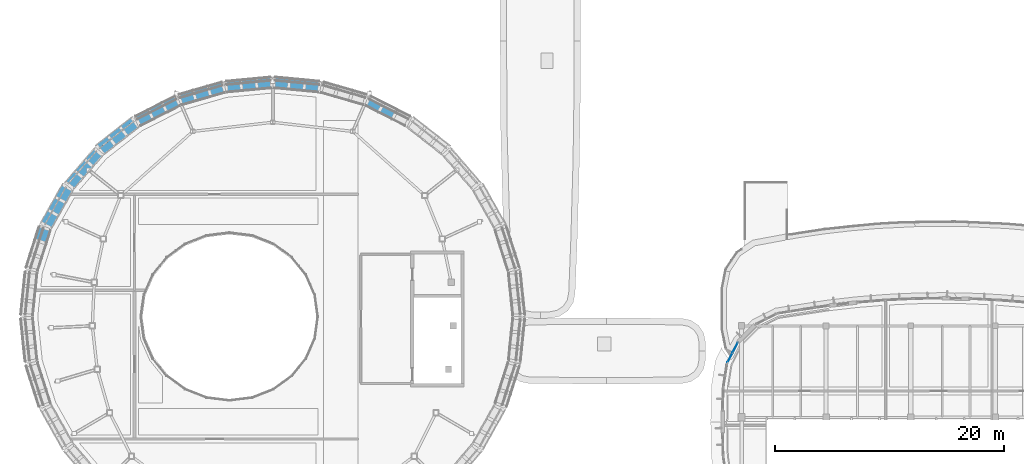
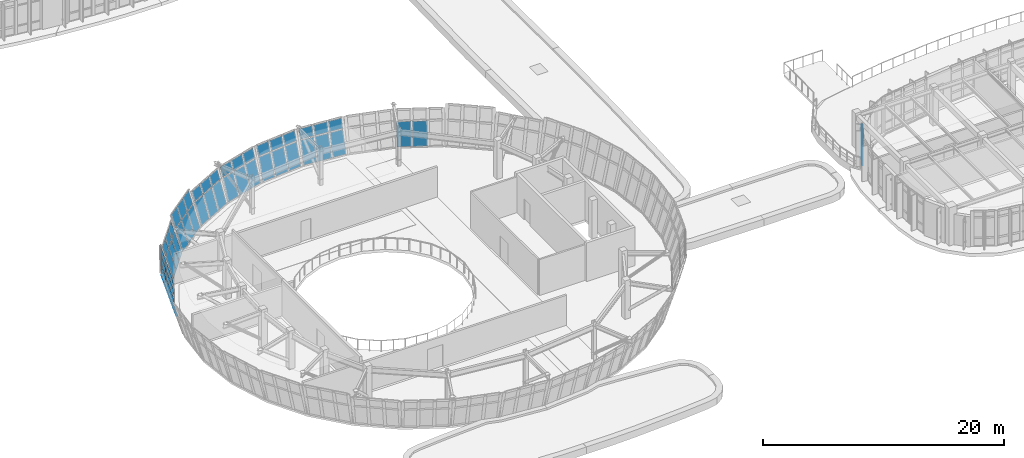
# One storey, part 65 of 111: 50 plates, 10 elements without a shape of their own.
"""IFC4 building model written with IfcOpenShell, lengths in metres."""

from ifc_helpers import new_model, si_unit, direction, frame, origin, origin_2d, place, context, subcontext, project, spatial, polyline, rectangle, outline, extrude, material, layer, layer_set, type_object, element, aggregate, save


model = new_model("IFC4")

# Units and contexts
model_context = context("Model", 3, precision=1e-05, world=origin(), true_north=direction((0.0, 1.0)))
body_context = subcontext(model_context, "Body", "Model", "MODEL_VIEW")
ifc_project = project(units=[si_unit("LENGTHUNIT", "METRE"), si_unit("AREAUNIT", "SQUARE_METRE"), si_unit("VOLUMEUNIT", "CUBIC_METRE"), si_unit("PLANEANGLEUNIT", "RADIAN"), si_unit("MASSUNIT", "GRAM", prefix="KILO")], contexts=[model_context])

# Site, building, storey
site_placement = place(None, origin())
site = spatial("IfcSite", under=ifc_project, at=site_placement, CompositionType="ELEMENT")
building_placement = place(site_placement, origin())
building = spatial("IfcBuilding", under=site, at=building_placement, Name="Corveleigh Park Community Centre", CompositionType="ELEMENT")
storey_placement = place(building_placement, frame((0.0, 0.0, 4.800048828125)))
storey = spatial("IfcBuildingStorey", under=building, at=storey_placement, Name="L01", CompositionType="ELEMENT", Elevation=4.800048828125)

# Curtain wall, plates
ifc_material_1 = material(Name="Anodised aluminium 6063-T6", Category="aluminium")
curtain_wall_type_1 = type_object("IfcCurtainWallType", Name="CW-SYS-V1-DRUM", PredefinedType="NOTDEFINED", material=ifc_material_1)
curtain_wall_1_placement = place(storey_placement, origin())
curtain_wall_1 = element("IfcCurtainWall", 1, at=curtain_wall_1_placement, inside=storey, type_object=curtain_wall_type_1, Name="Main Hall Flared Drum CW 167", PredefinedType="NOTDEFINED")
ifc_material_2 = material(Name="Low-E double glazing", Category="glass")
ifc_layer = layer(ifc_material_2, 0.02392578125, Name="Low-E double glazing", Category="glass")
ifc_layer_set = layer_set([ifc_layer], Name="Low-E double glazing")
plate_type = type_object("IfcPlateType", Name="CWP-GLZ-24", PredefinedType="CURTAIN_PANEL", material=ifc_layer_set)
plate_1_placement = place(storey_placement, frame((41.422119140625, 44.889404296875, 0.079833984375), z_axis=(-0.435129928287, -0.854426789834, 0.283930988662), x_axis=(-0.89110027264, 0.453806461061, 0.0)))
plate_1 = element("IfcPlate", 2, at=plate_1_placement, type_object=plate_type, Name="CW02 panel 2.1", PredefinedType="CURTAIN_PANEL", context=body_context, shape_type="SweptSolid", body=[
    extrude(outline(polyline([(0.0, 0.0), (1.2567306747164828, 0.0), (1.256584642869759, -2.2215557040951697), (-0.00014603184672390412, -2.2215557040951697), (0.0, 0.0)])), origin(), (0.0, 0.0, -1.0), 0.02392578125),
])
plate_2_placement = place(storey_placement, frame((40.2265625, 45.498291015625, 0.079833984375), z_axis=(-0.43527937926, -0.854365902958, 0.28388512792), x_axis=(-0.891024153867, 0.453955897886, 0.0)))
plate_2 = element("IfcPlate", 3, at=plate_2_placement, type_object=plate_type, Name="CW02 panel 3.1", PredefinedType="CURTAIN_PANEL", context=body_context, shape_type="SweptSolid", body=[
    extrude(outline(polyline([(0.0, 0.0), (1.2143680340247587, 0.0), (1.21454532128109, -2.2215242432618902), (0.00017728725633131548, -2.2215242432618902), (0.0, 0.0)])), origin(), (0.0, 0.0, -1.0), 0.02392578125),
])
aggregate(curtain_wall_1, [plate_1, plate_2])

curtain_wall_2_placement = place(storey_placement, origin())
curtain_wall_2 = element("IfcCurtainWall", 4, at=curtain_wall_2_placement, inside=storey, type_object=curtain_wall_type_1, Name="Main Hall Flared Drum CW 169", PredefinedType="NOTDEFINED")
plate_3_placement = place(storey_placement, frame((34.989501953125, 47.24951171875, 0.079833984375), z_axis=(-0.089638964178, -0.954654968497, 0.283899184966), x_axis=(-0.99562057061, 0.093486252316, 2.531165e-06)))
plate_3 = element("IfcPlate", 5, at=plate_3_placement, type_object=plate_type, Name="CW02 panel 1.1", PredefinedType="CURTAIN_PANEL", context=body_context, shape_type="SweptSolid", body=[
    extrude(outline(polyline([(0.0, 0.0), (1.2272996812721844, -6.938893903907228e-18), (1.227427651939099, -2.221530645692384), (-0.00011510076145723116, -2.221537125938289), (0.0, 0.0)])), origin(), (0.0, 0.0, -1.0), 0.02392578125),
])
plate_4_placement = place(storey_placement, frame((35.05078125, 47.901123046875, 2.2900390625), z_axis=(-0.089644715263, -0.954716217553, 0.283691326914), x_axis=(-0.995620710615, 0.093484761256, -2.528973e-06)))
plate_4 = element("IfcPlate", 6, at=plate_4_placement, type_object=plate_type, Name="CW02 panel 1.2", PredefinedType="CURTAIN_PANEL", context=body_context, shape_type="SweptSolid", body=[
    extrude(outline(polyline([(0.0, 0.0), (1.2275427527176546, 0.0), (1.2274193232998722, -0.9343879144596787), (0.00011964204477039696, -0.9343814402405587), (0.0, 0.0)])), origin(), (0.0, 0.0, -1.0), 0.02392578125),
])
plate_5_placement = place(storey_placement, frame((33.682861328125, 47.372314453125, 0.079833984375), z_axis=(-0.089678399961, -0.954664816852, 0.283853610238), x_axis=(-0.995617622449, 0.09351764107, -2.6047473e-05)))
plate_5 = element("IfcPlate", 7, at=plate_5_placement, type_object=plate_type, Name="CW02 panel 2.1", PredefinedType="CURTAIN_PANEL", context=body_context, shape_type="SweptSolid", body=[
    extrude(outline(polyline([(0.0, 0.0), (1.2699592871634262, 6.938893903907228e-18), (1.269803194389561, -2.2215371204065937), (-0.00017892422920486495, -2.221468123338126), (0.0, 0.0)])), origin(), (0.0, 0.0, -1.0), 0.02392578125),
])
plate_6_placement = place(storey_placement, frame((33.744140625, 48.023681640625, 2.2900390625), z_axis=(-0.089585221352, -0.95465403577, 0.283919284485), x_axis=(-0.995625847483, 0.093430037049, 0.0)))
plate_6 = element("IfcPlate", 8, at=plate_6_placement, type_object=plate_type, Name="CW02 panel 2.2", PredefinedType="CURTAIN_PANEL", context=body_context, shape_type="SweptSolid", body=[
    extrude(outline(polyline([(0.0, 0.0), (1.2699592925103274, 0.0), (1.2700894413118968, -0.9344504257626118), (0.0001301488015694116, -0.9344504257626118), (0.0, 0.0)])), origin(), (0.0, 0.0, -1.0), 0.02392578125),
])
plate_7_placement = place(storey_placement, frame((32.333984375, 47.498779296875, 0.079833984375), z_axis=(-0.089638964178, -0.954654968497, 0.283899184966), x_axis=(-0.995620710718, 0.093484760164, -2.530664e-06)))
plate_7 = element("IfcPlate", 9, at=plate_7_placement, type_object=plate_type, Name="CW02 panel 3.1", PredefinedType="CURTAIN_PANEL", context=body_context, shape_type="SweptSolid", body=[
    extrude(outline(polyline([(0.0, 0.0), (1.2275427527176608, 0.0), (1.2274159243753684, -2.221537125299712), (0.00011624312028513459, -2.2215306463369906), (0.0, 0.0)])), origin(), (0.0, 0.0, -1.0), 0.02392578125),
])
plate_8_placement = place(storey_placement, frame((32.39501953125, 48.150390625, 2.2900390625), z_axis=(-0.089638097214, -0.954645735333, 0.283930504768), x_axis=(-0.995620570594, 0.093486252481, 2.531419e-06)))
plate_8 = element("IfcPlate", 10, at=plate_8_placement, type_object=plate_type, Name="CW02 panel 3.2", PredefinedType="CURTAIN_PANEL", context=body_context, shape_type="SweptSolid", body=[
    extrude(outline(polyline([(0.0, 0.0), (1.2272996812721852, 0.0), (1.2274470782114857, -0.9344504231370696), (-9.567448906729805e-05, -0.9344569040978764), (0.0, 0.0)])), origin(), (0.0, 0.0, -1.0), 0.02392578125),
])
aggregate(curtain_wall_2, [plate_3, plate_4, plate_5, plate_6, plate_7, plate_8])

curtain_wall_3_placement = place(storey_placement, origin())
curtain_wall_3 = element("IfcCurtainWall", 11, at=curtain_wall_3_placement, inside=storey, type_object=curtain_wall_type_1, Name="Main Hall Flared Drum CW 170", PredefinedType="NOTDEFINED")
plate_9_placement = place(storey_placement, frame((30.88818359375, 47.613525390625, 0.079833984375), z_axis=(0.089638964178, -0.954654968497, 0.283899184966), x_axis=(-0.995620710718, -0.093484760164, 2.530664e-06)))
plate_9 = element("IfcPlate", 12, at=plate_9_placement, type_object=plate_type, Name="CW02 panel 1.1", PredefinedType="CURTAIN_PANEL", context=body_context, shape_type="SweptSolid", body=[
    extrude(outline(polyline([(0.0, 0.0), (1.2275427527176608, 0.0), (1.2274265095973755, -2.2215306463369906), (0.00012682834229249881, -2.221537125299712), (0.0, 0.0)])), origin(), (0.0, 0.0, -1.0), 0.02392578125),
])
plate_10_placement = place(storey_placement, frame((30.826904296875, 48.26513671875, 2.2900390625), z_axis=(0.089638097214, -0.954645735333, 0.283930504768), x_axis=(-0.995620570594, -0.093486252481, -2.531419e-06)))
plate_10 = element("IfcPlate", 13, at=plate_10_placement, type_object=plate_type, Name="CW02 panel 1.2", PredefinedType="CURTAIN_PANEL", context=body_context, shape_type="SweptSolid", body=[
    extrude(outline(polyline([(0.0, 0.0), (1.2272996812721852, 0.0), (1.2273953557612527, -0.9344569040978764), (-0.0001473969393004782, -0.9344504231370696), (0.0, 0.0)])), origin(), (0.0, 0.0, -1.0), 0.02392578125),
])
plate_11_placement = place(storey_placement, frame((29.58154296875, 47.490966796875, 0.079833984375), z_axis=(0.089678399961, -0.954664816852, 0.283853610238), x_axis=(-0.995617622449, -0.09351764107, 2.6047473e-05)))
plate_11 = element("IfcPlate", 14, at=plate_11_placement, type_object=plate_type, Name="CW02 panel 2.1", PredefinedType="CURTAIN_PANEL", context=body_context, shape_type="SweptSolid", body=[
    extrude(outline(polyline([(0.0, 0.0), (1.2699592871634262, -6.938893903907228e-18), (1.270138211392631, -2.221468123338126), (0.00015609277386538956, -2.2215371204065937), (0.0, 0.0)])), origin(), (0.0, 0.0, -1.0), 0.02392578125),
])
plate_12_placement = place(storey_placement, frame((29.520263671875, 48.142333984375, 2.2900390625), z_axis=(0.089585221352, -0.95465403577, 0.283919284485), x_axis=(-0.995625847483, -0.093430037049, 0.0)))
plate_12 = element("IfcPlate", 15, at=plate_12_placement, type_object=plate_type, Name="CW02 panel 2.2", PredefinedType="CURTAIN_PANEL", context=body_context, shape_type="SweptSolid", body=[
    extrude(outline(polyline([(0.0, 0.0), (1.2699592925103274, 0.0), (1.269829143708758, -0.9344504257626118), (-0.0001301488015694116, -0.9344504257626118), (0.0, 0.0)])), origin(), (0.0, 0.0, -1.0), 0.02392578125),
])
plate_13_placement = place(storey_placement, frame((28.232421875, 47.3642578125, 0.079833984375), z_axis=(0.089638964178, -0.954654968497, 0.283899184966), x_axis=(-0.99562057061, -0.093486252316, -2.531165e-06)))
plate_13 = element("IfcPlate", 16, at=plate_13_placement, type_object=plate_type, Name="CW02 panel 3.1", PredefinedType="CURTAIN_PANEL", context=body_context, shape_type="SweptSolid", body=[
    extrude(outline(polyline([(0.0, 0.0), (1.2272996812721844, 6.938893903907228e-18), (1.2274147820336416, -2.221537125938289), (-0.00012797066691431984, -2.221530645692384), (0.0, 0.0)])), origin(), (0.0, 0.0, -1.0), 0.02392578125),
])
plate_14_placement = place(storey_placement, frame((28.17138671875, 48.015869140625, 2.2900390625), z_axis=(0.089644715263, -0.954716217553, 0.283691326914), x_axis=(-0.995620710615, -0.093484761256, 2.528973e-06)))
plate_14 = element("IfcPlate", 17, at=plate_14_placement, type_object=plate_type, Name="CW02 panel 3.2", PredefinedType="CURTAIN_PANEL", context=body_context, shape_type="SweptSolid", body=[
    extrude(outline(polyline([(0.0, 0.0), (1.2275427527176546, 0.0), (1.2274231106728843, -0.9343814402405587), (0.00012342941778220438, -0.9343879144596787), (0.0, 0.0)])), origin(), (0.0, 0.0, -1.0), 0.02392578125),
])
aggregate(curtain_wall_3, [plate_9, plate_10, plate_11, plate_12, plate_13, plate_14])

curtain_wall_4_placement = place(storey_placement, origin())
curtain_wall_4 = element("IfcCurtainWall", 18, at=curtain_wall_4_placement, inside=storey, type_object=curtain_wall_type_1, Name="Main Hall Flared Drum CW 171", PredefinedType="NOTDEFINED")
plate_15_placement = place(storey_placement, frame((26.790771484375, 47.208251953125, 0.079833984375), z_axis=(0.266061700526, -0.921211112795, 0.283868380021), x_axis=(-0.960730375848, -0.277483592743, -2.6109665e-05)))
plate_15 = element("IfcPlate", 19, at=plate_15_placement, type_object=plate_type, Name="CW02 panel 1.1", PredefinedType="CURTAIN_PANEL", context=body_context, shape_type="SweptSolid", body=[
    extrude(outline(polyline([(0.0, 0.0), (1.2226015703409923, 1.3877787807814457e-17), (1.2225775457977432, -2.221546047048338), (4.372047451034995e-05, -2.221479466474938), (0.0, 0.0)])), origin(), (0.0, 0.0, -1.0), 0.02392578125),
])
plate_16_placement = place(storey_placement, frame((26.609130859375, 47.8369140625, 2.2900390625), z_axis=(0.266070519218, -0.921241646604, 0.283761003955), x_axis=(-0.96073037747, -0.277483587126, -2.6100654e-05)))
plate_16 = element("IfcPlate", 20, at=plate_16_placement, type_object=plate_type, Name="CW02 panel 1.2", PredefinedType="CURTAIN_PANEL", context=body_context, shape_type="SweptSolid", body=[
    extrude(outline(polyline([(0.0, 0.0), (1.2226015703406494, 1.3877787807814457e-17), (1.2224529349062452, -0.9344380417157482), (-8.089041801595051e-05, -0.9343714863271186), (0.0, 0.0)])), origin(), (0.0, 0.0, -1.0), 0.02392578125),
])
plate_17_placement = place(storey_placement, frame((25.53466796875, 46.84521484375, 0.079833984375), z_axis=(0.26610340468, -0.92118410883, 0.283916916822), x_axis=(-0.960718756836, -0.277523819271, 0.0)))
plate_17 = element("IfcPlate", 21, at=plate_17_placement, type_object=plate_type, Name="CW02 panel 2.1", PredefinedType="CURTAIN_PANEL", context=body_context, shape_type="SweptSolid", body=[
    extrude(outline(polyline([(0.0, 0.0), (1.2650237362410135, 1.3877787807814457e-17), (1.2650289191563515, -2.221546050018316), (5.1829153378257775e-06, -2.221546050018316), (0.0, 0.0)])), origin(), (0.0, 0.0, -1.0), 0.02392578125),
])
plate_18_placement = place(storey_placement, frame((25.35302734375, 47.473876953125, 2.2900390625), z_axis=(0.266101256367, -0.921176671903, 0.283943058553), x_axis=(-0.960718756836, -0.277523819271, 0.0)))
plate_18 = element("IfcPlate", 22, at=plate_18_placement, type_object=plate_type, Name="CW02 panel 2.2", PredefinedType="CURTAIN_PANEL", context=body_context, shape_type="SweptSolid", body=[
    extrude(outline(polyline([(0.0, 0.0), (1.2650237362410135, -1.3877787807814457e-17), (1.2651219289279596, -0.9344572866126412), (9.81926869459554e-05, -0.9344572866126412), (0.0, 0.0)])), origin(), (0.0, 0.0, -1.0), 0.02392578125),
])
plate_19_placement = place(storey_placement, frame((24.237548828125, 46.470703125, 0.079833984375), z_axis=(0.266088376999, -0.921207727639, 0.283854360832), x_axis=(-0.960723306895, -0.27750806699, -1.8566973e-05)))
plate_19 = element("IfcPlate", 23, at=plate_19_placement, type_object=plate_type, Name="CW02 panel 3.1", PredefinedType="CURTAIN_PANEL", context=body_context, shape_type="SweptSolid", body=[
    extrude(outline(polyline([(0.0, 0.0), (1.2226015728971278, 0.0), (1.2223429959023029, -2.221526809576135), (4.372558668982366e-05, -2.2214794678816183), (0.0, 0.0)])), origin(), (0.0, 0.0, -1.0), 0.02392578125),
])
plate_20_placement = place(storey_placement, frame((24.055908203125, 47.099365234375, 2.2900390625), z_axis=(0.266172199392, -0.921166449768, 0.283909725252), x_axis=(-0.960697586067, -0.277597096651, -7.546601e-06)))
plate_20 = element("IfcPlate", 24, at=plate_20_placement, type_object=plate_type, Name="CW02 panel 3.2", PredefinedType="CURTAIN_PANEL", context=body_context, shape_type="SweptSolid", body=[
    extrude(outline(polyline([(0.0, 0.0), (1.2223670296202918, 1.3877787807814457e-17), (1.2224382225066959, -0.9344572884948379), (-0.0001633524226939295, -0.9344380454608738), (0.0, 0.0)])), origin(), (0.0, 0.0, -1.0), 0.02392578125),
])
aggregate(curtain_wall_4, [plate_15, plate_16, plate_17, plate_18, plate_19, plate_20])

curtain_wall_5_placement = place(storey_placement, origin())
curtain_wall_5 = element("IfcCurtainWall", 25, at=curtain_wall_5_placement, inside=storey, type_object=curtain_wall_type_1, Name="Main Hall Flared Drum CW 172", PredefinedType="NOTDEFINED")
plate_21_placement = place(storey_placement, frame((22.85546875, 46.049560546875, 0.079833984375), z_axis=(0.43527937926, -0.854365902958, 0.28388512792), x_axis=(-0.891024153867, -0.453955897886, 0.0)))
plate_21 = element("IfcPlate", 26, at=plate_21_placement, type_object=plate_type, Name="CW02 panel 1.1", PredefinedType="CURTAIN_PANEL", context=body_context, shape_type="SweptSolid", body=[
    extrude(outline(polyline([(0.0, 0.0), (1.2143680340247587, 0.0), (1.2141907467684274, -2.2215242432618902), (-0.00017728725633131548, -2.2215242432618902), (0.0, 0.0)])), origin(), (0.0, 0.0, -1.0), 0.02392578125),
])
plate_22_placement = place(storey_placement, frame((22.55859375, 46.632568359375, 2.2900390625), z_axis=(0.43508807319, -0.854465168105, 0.283879631293), x_axis=(-0.891124497652, -0.453758889202, -1.2416831e-05)))
plate_22 = element("IfcPlate", 27, at=plate_22_placement, type_object=plate_type, Name="CW02 panel 1.2", PredefinedType="CURTAIN_PANEL", context=body_context, shape_type="SweptSolid", body=[
    extrude(outline(polyline([(0.0, 0.0), (1.2142572232723932, -2.7755575615628914e-17), (1.214484598107084, -0.9344547111837749), (9.81514288118538e-06, -0.9344232601300853), (0.0, 0.0)])), origin(), (0.0, 0.0, -1.0), 0.02392578125),
])
plate_23_placement = place(storey_placement, frame((21.69775390625, 45.459716796875, 0.079833984375), z_axis=(0.435129928287, -0.854426789834, 0.283930988662), x_axis=(-0.89110027264, -0.453806461061, 0.0)))
plate_23 = element("IfcPlate", 28, at=plate_23_placement, type_object=plate_type, Name="CW02 panel 2.1", PredefinedType="CURTAIN_PANEL", context=body_context, shape_type="SweptSolid", body=[
    extrude(outline(polyline([(0.0, 0.0), (1.2567306747164828, 0.0), (1.2568767065632067, -2.2215557040951697), (0.00014603184672390412, -2.2215557040951697), (0.0, 0.0)])), origin(), (0.0, 0.0, -1.0), 0.02392578125),
])
plate_24_placement = place(storey_placement, frame((21.400634765625, 46.04296875, 2.2900390625), z_axis=(0.43529204676, -0.854379383179, 0.283825128602), x_axis=(-0.891021707372, -0.453960699832, 0.0)))
plate_24 = element("IfcPlate", 29, at=plate_24_placement, type_object=plate_type, Name="CW02 panel 2.2", PredefinedType="CURTAIN_PANEL", context=body_context, shape_type="SweptSolid", body=[
    extrude(outline(polyline([(0.0, 0.0), (1.2568414861383201, 0.0), (1.2568023612108874, -0.9344232608719287), (-3.912492743281283e-05, -0.9344232608719287), (0.0, 0.0)])), origin(), (0.0, 0.0, -1.0), 0.02392578125),
])
plate_25_placement = place(storey_placement, frame((20.501953125, 44.850830078125, 0.079833984375), z_axis=(0.435208898951, -0.854416761972, 0.283840115444), x_axis=(-0.891068087058, -0.453869654892, 2.4380516e-05)))
plate_25 = element("IfcPlate", 30, at=plate_25_placement, type_object=plate_type, Name="CW02 panel 3.1", PredefinedType="CURTAIN_PANEL", context=body_context, shape_type="SweptSolid", body=[
    extrude(outline(polyline([(0.0, 0.0), (1.2142572199545414, 0.0), (1.2143037146147662, -2.2214624961072755), (-6.431336098925244e-05, -2.221524246956718), (0.0, 0.0)])), origin(), (0.0, 0.0, -1.0), 0.02392578125),
])
plate_26_placement = place(storey_placement, frame((20.205078125, 45.433837890625, 2.2900390625), z_axis=(0.435134371748, -0.85445969676, 0.283825131263), x_axis=(-0.891105466146, -0.453796262882, 0.0)))
plate_26 = element("IfcPlate", 31, at=plate_26_placement, type_object=plate_type, Name="CW02 panel 3.2", PredefinedType="CURTAIN_PANEL", context=body_context, shape_type="SweptSolid", body=[
    extrude(outline(polyline([(0.0, 0.0), (1.214257224433932, 2.7755575615628914e-17), (1.2142670418998818, -0.9344232616394489), (9.817465949718312e-06, -0.9344232616394489), (0.0, 0.0)])), origin(), (0.0, 0.0, -1.0), 0.02392578125),
])
aggregate(curtain_wall_5, [plate_21, plate_22, plate_23, plate_24, plate_25, plate_26])

curtain_wall_6_placement = place(storey_placement, origin())
curtain_wall_6 = element("IfcCurtainWall", 32, at=curtain_wall_6_placement, inside=storey, type_object=curtain_wall_type_1, Name="Main Hall Flared Drum CW 173", PredefinedType="NOTDEFINED")
plate_27_placement = place(storey_placement, frame((19.2314453125, 44.180419921875, 0.079833984375), z_axis=(0.590570210498, -0.755353323322, 0.284021448871), x_axis=(-0.787796412937, -0.615935720481, 0.0)))
plate_27 = element("IfcPlate", 33, at=plate_27_placement, type_object=plate_type, Name="CW02 panel 1.1", PredefinedType="CURTAIN_PANEL", context=body_context, shape_type="SweptSolid", body=[
    extrude(outline(polyline([(0.0, 0.0), (1.2018045883461863, 0.0), (1.2018355362213238, -2.221617779334845), (3.094787513755498e-05, -2.221617779334845), (0.0, 0.0)])), origin(), (0.0, 0.0, -1.0), 0.02392578125),
])
plate_28_placement = place(storey_placement, frame((18.828369140625, 44.696044921875, 2.2900390625), z_axis=(0.590445712563, -0.755416030406, 0.284113501125), x_axis=(-0.787891310482, -0.615814323769, 3.8837686e-05)))
plate_28 = element("IfcPlate", 34, at=plate_28_placement, type_object=plate_type, Name="CW02 panel 1.2", PredefinedType="CURTAIN_PANEL", context=body_context, shape_type="SweptSolid", body=[
    extrude(outline(polyline([(0.0, 0.0), (1.2018465841558437, 0.0), (1.2019415795465835, -1.2952740771864453), (0.00013700637382405017, -1.2953714417653588), (0.0, 0.0)])), origin(), (0.0, 0.0, -1.0), 0.02392578125),
])
plate_29_placement = place(storey_placement, frame((18.217529296875, 43.387939453125, 0.079833984375), z_axis=(0.590517056705, -0.755406575725, 0.283990336266), x_axis=(-0.787841378921, -0.615878203373, -1.6452822e-05)))
plate_29 = element("IfcPlate", 35, at=plate_29_placement, type_object=plate_type, Name="CW02 panel 2.1", PredefinedType="CURTAIN_PANEL", context=body_context, shape_type="SweptSolid", body=[
    extrude(outline(polyline([(0.0, 0.0), (1.244244340027745, 2.7755575615628914e-17), (1.2442863083641342, -2.2216177779845316), (-0.00015037575026101928, -2.221575073910644), (0.0, 0.0)])), origin(), (0.0, 0.0, -1.0), 0.02392578125),
])
plate_30_placement = place(storey_placement, frame((17.814453125, 43.903564453125, 2.2900390625), z_axis=(0.590446228825, -0.755410020695, 0.28412840671), x_axis=(-0.787881585535, -0.61582676718, 0.0)))
plate_30 = element("IfcPlate", 36, at=plate_30_placement, type_object=plate_type, Name="CW02 panel 2.2", PredefinedType="CURTAIN_PANEL", context=body_context, shape_type="SweptSolid", body=[
    extrude(outline(polyline([(0.0, 0.0), (1.2444366869348795, -2.7755575615628914e-17), (1.2443272904423972, -1.2953287305198617), (-0.00010939649248234429, -1.2953287305198617), (0.0, 0.0)])), origin(), (0.0, 0.0, -1.0), 0.02392578125),
])
plate_31_placement = place(storey_placement, frame((17.170166015625, 42.569091796875, 0.079833984375), z_axis=(0.590460922943, -0.755435490561, 0.284030135862), x_axis=(-0.787885092226, -0.615822280715, 4.760055e-06)))
plate_31 = element("IfcPlate", 37, at=plate_31_placement, type_object=plate_type, Name="CW02 panel 3.1", PredefinedType="CURTAIN_PANEL", context=body_context, shape_type="SweptSolid", body=[
    extrude(outline(polyline([(0.0, 0.0), (1.2016542286378034, -2.7755575615628914e-17), (1.2017861707197124, -2.2216177755411004), (-0.00021075991343769577, -2.221629708507475), (0.0, 0.0)])), origin(), (0.0, 0.0, -1.0), 0.02392578125),
])
plate_32_placement = place(storey_placement, frame((16.76708984375, 43.0849609375, 2.2900390625), z_axis=(0.590445712563, -0.755416030406, 0.284113501125), x_axis=(-0.787877135739, -0.61583245893, -3.8839043e-05)))
plate_32 = element("IfcPlate", 38, at=plate_32_placement, type_object=plate_type, Name="CW02 panel 3.2", PredefinedType="CURTAIN_PANEL", context=body_context, shape_type="SweptSolid", body=[
    extrude(outline(polyline([(0.0, 0.0), (1.2018045771167707, 2.7755575615628914e-17), (1.2018366385620214, -1.2953714486139003), (-9.941649673271037e-06, -1.295274080631773), (0.0, 0.0)])), origin(), (0.0, 0.0, -1.0), 0.02392578125),
])
aggregate(curtain_wall_6, [plate_27, plate_28, plate_29, plate_30, plate_31, plate_32])

curtain_wall_7_placement = place(storey_placement, origin())
curtain_wall_7 = element("IfcCurtainWall", 39, at=curtain_wall_7_placement, inside=storey, type_object=curtain_wall_type_1, Name="Main Hall Flared Drum CW 174", PredefinedType="NOTDEFINED")
plate_33_placement = place(storey_placement, frame((16.060546875, 41.673095703125, 0.079833984375), z_axis=(0.726337830482, -0.625993707752, 0.283840155485), x_axis=(-0.652848882376, -0.757488175705, 2.1170966e-05)))
plate_33 = element("IfcPlate", 40, at=plate_33_placement, type_object=plate_type, Name="CW02 panel 1.1", PredefinedType="CURTAIN_PANEL", context=body_context, shape_type="SweptSolid", body=[
    extrude(outline(polyline([(0.0, 0.0), (1.1887263156913237, 0.0), (1.1887341443948845, -2.2214671524783522), (0.0001672156377346565, -2.221519640834963), (0.0, 0.0)])), origin(), (0.0, 0.0, -1.0), 0.02392578125),
])
plate_34_placement = place(storey_placement, frame((15.56494140625, 42.100341796875, 2.2900390625), z_axis=(0.726294066885, -0.626054457329, 0.283818154576), x_axis=(-0.652903056382, -0.757441482207, 0.0)))
plate_34 = element("IfcPlate", 41, at=plate_34_placement, type_object=plate_type, Name="CW02 panel 1.2", PredefinedType="CURTAIN_PANEL", context=body_context, shape_type="SweptSolid", body=[
    extrude(outline(polyline([(0.0, 0.0), (1.1887263189979533, 2.7755575615628914e-17), (1.1888027849445972, -0.9344212492498373), (7.646594664374753e-05, -0.9344212492498373), (0.0, 0.0)])), origin(), (0.0, 0.0, -1.0), 0.02392578125),
])
plate_35_placement = place(storey_placement, frame((15.22900390625, 40.708251953125, 0.079833984375), z_axis=(0.726300856106, -0.626006693385, 0.283906122259), x_axis=(-0.652875559896, -0.757465182614, 2.0442537e-05)))
plate_35 = element("IfcPlate", 42, at=plate_35_placement, type_object=plate_type, Name="CW02 panel 2.1", PredefinedType="CURTAIN_PANEL", context=body_context, shape_type="SweptSolid", body=[
    extrude(outline(polyline([(0.0, 0.0), (1.2313076700008125, 0.0), (1.2311512230330464, -2.2215123973531052), (2.9464794741211684e-06, -2.2215648964267323), (0.0, 0.0)])), origin(), (0.0, 0.0, -1.0), 0.02392578125),
])
plate_36_placement = place(storey_placement, frame((14.7333984375, 41.135498046875, 2.2900390625), z_axis=(0.726273569631, -0.626078236857, 0.283818151972), x_axis=(-0.65292785518, -0.757420105311, 0.0)))
plate_36 = element("IfcPlate", 43, at=plate_36_placement, type_object=plate_type, Name="CW02 panel 2.2", PredefinedType="CURTAIN_PANEL", context=body_context, shape_type="SweptSolid", body=[
    extrude(outline(polyline([(0.0, 0.0), (1.2313076731927668, 0.0), (1.2313928221546733, -0.9344212484989423), (8.514896190653376e-05, -0.9344212484989424), (0.0, 0.0)])), origin(), (0.0, 0.0, -1.0), 0.02392578125),
])
plate_37_placement = place(storey_placement, frame((14.36962890625, 39.711181640625, 0.079833984375), z_axis=(0.726323037401, -0.625980958345, 0.283906120275), x_axis=(-0.652848884583, -0.757488173803, 2.1175455e-05)))
plate_37 = element("IfcPlate", 44, at=plate_37_placement, type_object=plate_type, Name="CW02 panel 3.1", PredefinedType="CURTAIN_PANEL", context=body_context, shape_type="SweptSolid", body=[
    extrude(outline(polyline([(0.0, 0.0), (1.1887263156914583, 0.0), (1.1885492221573688, -2.221512395803047), (-1.7706599377206412e-05, -2.2215648963580144), (0.0, 0.0)])), origin(), (0.0, 0.0, -1.0), 0.02392578125),
])
plate_38_placement = place(storey_placement, frame((13.8740234375, 40.138427734375, 2.2900390625), z_axis=(0.726318452153, -0.625990608485, 0.283896572981), x_axis=(-0.652856367817, -0.757481724313, 1.8249718e-05)))
plate_38 = element("IfcPlate", 45, at=plate_38_placement, type_object=plate_type, Name="CW02 panel 3.2", PredefinedType="CURTAIN_PANEL", context=body_context, shape_type="SweptSolid", body=[
    extrude(outline(polyline([(0.0, 0.0), (1.1887263165418658, 0.0), (1.188802787400843, -0.9344212461249175), (-0.00010846120262275029, -0.9344664992842384), (0.0, 0.0)])), origin(), (0.0, 0.0, -1.0), 0.02392578125),
])
aggregate(curtain_wall_7, [plate_33, plate_34, plate_35, plate_36, plate_37, plate_38])

curtain_wall_8_placement = place(storey_placement, origin())
curtain_wall_8 = element("IfcCurtainWall", 46, at=curtain_wall_8_placement, inside=storey, type_object=curtain_wall_type_1, Name="Main Hall Flared Drum CW 175", PredefinedType="NOTDEFINED")
plate_39_placement = place(storey_placement, frame((13.463623046875, 38.62548828125, 0.079833984375), z_axis=(0.836208992501, -0.469148667259, 0.283996564892), x_axis=(-0.489288887288, -0.872121771411, -2.4645593e-05)))
plate_39 = element("IfcPlate", 47, at=plate_39_placement, type_object=plate_type, Name="CW02 panel 1.1", PredefinedType="CURTAIN_PANEL", context=body_context, shape_type="SweptSolid", body=[
    extrude(outline(polyline([(0.0, 0.0), (1.176247458693079, -2.7755575615628914e-17), (1.1761029465616613, -2.2216309322809806), (-0.000263967426165314, -2.2215704608088873), (0.0, 0.0)])), origin(), (0.0, 0.0, -1.0), 0.02392578125),
])
plate_40_placement = place(storey_placement, frame((12.892822265625, 38.94580078125, 2.2900390625), z_axis=(0.836151598891, -0.469215961491, 0.284054370066), x_axis=(-0.489374177373, -0.872073915743, 0.0)))
plate_40 = element("IfcPlate", 48, at=plate_40_placement, type_object=plate_type, Name="CW02 panel 1.2", PredefinedType="CURTAIN_PANEL", context=body_context, shape_type="SweptSolid", body=[
    extrude(outline(polyline([(0.0, 0.0), (1.1763669199708107, 0.0), (1.1762319393189529, -1.2952990940611138), (-0.00013498065185780492, -1.2952990940611138), (0.0, 0.0)])), origin(), (0.0, 0.0, -1.0), 0.02392578125),
])
plate_41_placement = place(storey_placement, frame((12.846435546875, 37.525634765625, 0.079833984375), z_axis=(0.836215206328, -0.469152553453, 0.283971847714), x_axis=(-0.489285980956, -0.87212340151, -3.7127716e-05)))
plate_41 = element("IfcPlate", 49, at=plate_41_placement, type_object=plate_type, Name="CW02 panel 2.1", PredefinedType="CURTAIN_PANEL", context=body_context, shape_type="SweptSolid", body=[
    extrude(outline(polyline([(0.0, 0.0), (1.2187650526536387, -2.7755575615628914e-17), (1.2185918492458288, -2.2216309268598615), (-7.973724068248131e-05, -2.2215365449483295), (0.0, 0.0)])), origin(), (0.0, 0.0, -1.0), 0.02392578125),
])
plate_42_placement = place(storey_placement, frame((12.275634765625, 37.845947265625, 2.2900390625), z_axis=(0.836163859069, -0.469219778961, 0.28401197126), x_axis=(-0.489368300675, -0.872077213391, -1.3346287e-05)))
plate_42 = element("IfcPlate", 50, at=plate_42_placement, type_object=plate_type, Name="CW02 panel 2.2", PredefinedType="CURTAIN_PANEL", context=body_context, shape_type="SweptSolid", body=[
    extrude(outline(polyline([(0.0, 0.0), (1.2188845082164932, -2.7755575615628914e-17), (1.2187304728267332, -1.2952990906688968), (5.887408616558233e-05, -1.2952651611532562), (0.0, 0.0)])), origin(), (0.0, 0.0, -1.0), 0.02392578125),
])
plate_43_placement = place(storey_placement, frame((12.20849609375, 36.388427734375, 0.079833984375), z_axis=(0.836191551865, -0.469194712251, 0.283971848226), x_axis=(-0.489349476617, -0.872087775544, 3.8473367e-05)))
plate_43 = element("IfcPlate", 51, at=plate_43_placement, type_object=plate_type, Name="CW02 panel 3.1", PredefinedType="CURTAIN_PANEL", context=body_context, shape_type="SweptSolid", body=[
    extrude(outline(polyline([(0.0, 0.0), (1.1761540065737517, 0.0), (1.176281228901461, -2.221536542736299), (3.378036019797014e-05, -2.221630933354547), (0.0, 0.0)])), origin(), (0.0, 0.0, -1.0), 0.02392578125),
])
plate_44_placement = place(storey_placement, frame((11.6376953125, 36.708984375, 2.2900390625), z_axis=(0.836196444747, -0.469141627437, 0.284045135845), x_axis=(-0.489301621452, -0.872114627005, 2.4646935e-05)))
plate_44 = element("IfcPlate", 52, at=plate_44_placement, type_object=plate_type, Name="CW02 panel 3.2", PredefinedType="CURTAIN_PANEL", context=body_context, shape_type="SweptSolid", body=[
    extrude(outline(polyline([(0.0, 0.0), (1.176366915542236, 2.7755575615628914e-17), (1.1764448524186564, -1.2952651573908958), (0.00019739528009507393, -1.2953256330634535), (0.0, 0.0)])), origin(), (0.0, 0.0, -1.0), 0.02392578125),
])
aggregate(curtain_wall_8, [plate_39, plate_40, plate_41, plate_42, plate_43, plate_44])

curtain_wall_9_placement = place(storey_placement, origin())
curtain_wall_9 = element("IfcCurtainWall", 53, at=curtain_wall_9_placement, inside=storey, type_object=curtain_wall_type_1, Name="Main Hall Flared Drum CW 176", PredefinedType="NOTDEFINED")
plate_45_placement = place(storey_placement, frame((11.542724609375, 35.1552734375, 0.079833984375), z_axis=(0.91356732565, -0.2910861537, 0.28401336699), x_axis=(-0.303593019325, -0.952801804299, 1.8486097e-05)))
plate_45 = element("IfcPlate", 54, at=plate_45_placement, type_object=plate_type, Name="CW02 panel 1.1", PredefinedType="CURTAIN_PANEL", context=body_context, shape_type="SweptSolid", body=[
    extrude(outline(polyline([(0.0, 0.0), (1.1674272667104637, 0.0), (1.167343743370133, -2.2215897263788698), (0.0002232136771556347, -2.221634736560403), (0.0, 0.0)])), origin(), (0.0, 0.0, -1.0), 0.02392578125),
])
plate_46_placement = place(storey_placement, frame((10.9189453125, 35.35400390625, 2.2900390625), z_axis=(0.913524107745, -0.291172649423, 0.284063712568), x_axis=(-0.303680295039, -0.952773991212, -8.648615e-06)))
plate_46 = element("IfcPlate", 55, at=plate_46_placement, type_object=plate_type, Name="CW02 panel 1.2", PredefinedType="CURTAIN_PANEL", context=body_context, shape_type="SweptSolid", body=[
    extrude(outline(polyline([(0.0, 0.0), (1.167427268642319, 0.0), (1.1673468048229907, -1.2953133630273834), (0.0001521470183699262, -1.2952923042746187), (0.0, 0.0)])), origin(), (0.0, 0.0, -1.0), 0.02392578125),
])
aggregate(curtain_wall_9, [plate_45, plate_46])

curtain_wall_type_2 = type_object("IfcCurtainWallType", Name="CW-SYS-V3-UPP", PredefinedType="NOTDEFINED", material=ifc_material_1)
curtain_wall_10_placement = place(storey_placement, origin())
curtain_wall_10 = element("IfcCurtainWall", 56, at=curtain_wall_10_placement, inside=storey, type_object=curtain_wall_type_2, Name="V3 L01 Curtain Wall 253", PredefinedType="NOTDEFINED")
plate_47_placement = place(storey_placement, frame((70.98974609375, 24.00537109375, 2.9970703125), z_axis=(0.0, 0.0, 1.0), x_axis=(0.454217786228, 0.890890679418, 0.0)))
plate_47 = element("IfcPlate", 57, at=plate_47_placement, type_object=plate_type, Name="CW06 panel 1.3", PredefinedType="CURTAIN_PANEL", context=body_context, shape_type="SweptSolid", body=[
    extrude(rectangle(XDim=0.93603515625, YDim=0.02392578125, at=origin_2d()), origin(), (0.0, 0.0, 1.0), 0.544921875),
])
plate_48_placement = place(storey_placement, frame((71.442138671875, 24.892578125, 0.070068359375), z_axis=(0.0, 0.0, 1.0), x_axis=(0.454217786228, 0.890890679418, 0.0)))
plate_48 = element("IfcPlate", 58, at=plate_48_placement, type_object=plate_type, Name="CW06 panel 2.1", PredefinedType="CURTAIN_PANEL", context=body_context, shape_type="SweptSolid", body=[
    extrude(rectangle(XDim=0.93603515625, YDim=0.02392578125, at=origin_2d()), origin(), (0.0, 0.0, 1.0), 0.794921875),
])
plate_49_placement = place(storey_placement, frame((71.442138671875, 24.892578125, 0.93505859375), z_axis=(0.0, 0.0, 1.0), x_axis=(0.454217786228, 0.890890679418, 0.0)))
plate_49 = element("IfcPlate", 59, at=plate_49_placement, type_object=plate_type, Name="CW06 panel 2.2", PredefinedType="CURTAIN_PANEL", context=body_context, shape_type="SweptSolid", body=[
    extrude(rectangle(XDim=0.93603515625, YDim=0.02392578125, at=origin_2d()), origin(), (0.0, 0.0, 1.0), 1.991943359375),
])
plate_50_placement = place(storey_placement, frame((71.442138671875, 24.892578125, 2.9970703125), z_axis=(0.0, 0.0, 1.0), x_axis=(0.454217786228, 0.890890679418, 0.0)))
plate_50 = element("IfcPlate", 60, at=plate_50_placement, type_object=plate_type, Name="CW06 panel 2.3", PredefinedType="CURTAIN_PANEL", context=body_context, shape_type="SweptSolid", body=[
    extrude(rectangle(XDim=0.93603515625, YDim=0.02392578125, at=origin_2d()), origin(), (0.0, 0.0, 1.0), 0.544921875),
])
aggregate(curtain_wall_10, [plate_47, plate_48, plate_49, plate_50])

save(model, "model.ifc")
